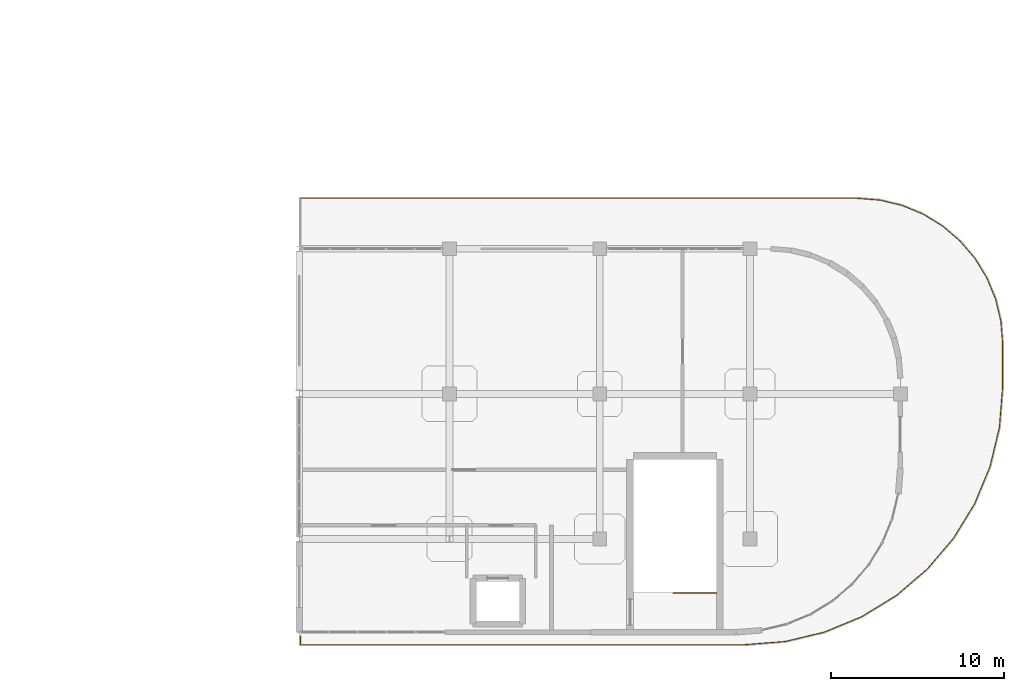
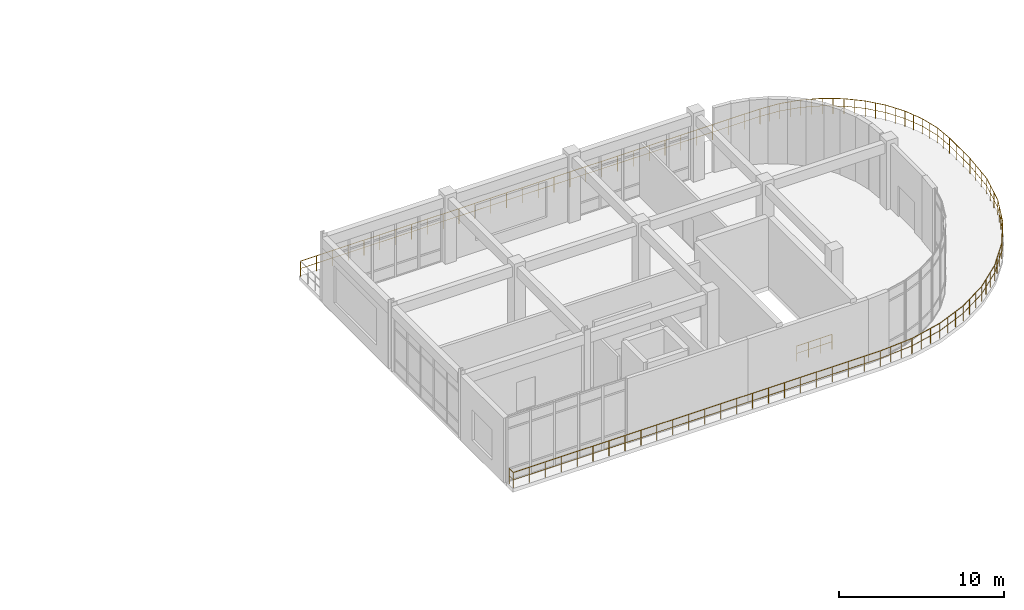
# One storey, part 96 of 96: 2 railings.
"""IFC4 building model written with IfcOpenShell, lengths in metres."""

from ifc_helpers import new_model, si_unit, derived_unit, direction, frame, origin, origin_2d, place, context, subcontext, project, spatial, circle, extrude, material, type_object, element, save


model = new_model("IFC4")

# Units and contexts
model_context = context("Model", 3, precision=1e-05, world=origin(), true_north=direction((0.0, 1.0)))
body_context = subcontext(model_context, "Body", "Model", "MODEL_VIEW")
ifc_project = project(units=[si_unit("LENGTHUNIT", "METRE"), si_unit("AREAUNIT", "SQUARE_METRE"), si_unit("VOLUMEUNIT", "CUBIC_METRE"), si_unit("PLANEANGLEUNIT", "RADIAN"), si_unit("MASSUNIT", "GRAM", prefix="KILO"), derived_unit("THERMALTRANSMITTANCEUNIT", [(si_unit("MASSUNIT", "GRAM", prefix="KILO"), 1), (si_unit("TIMEUNIT", "SECOND"), -3), (si_unit("THERMODYNAMICTEMPERATUREUNIT", "KELVIN"), -1)])], contexts=[model_context])

# Site, building, storey
site_placement = place(None, origin())
site = spatial("IfcSite", under=ifc_project, at=site_placement, CompositionType="ELEMENT")
building_placement = place(site_placement, origin())
building = spatial("IfcBuilding", under=site, at=building_placement, Name="Qinzheling Arcade Emporium", CompositionType="ELEMENT")
storey_placement = place(building_placement, frame((0.0, 0.0, 21.60009765625)))
storey = spatial("IfcBuildingStorey", under=building, at=storey_placement, Name="L05", CompositionType="ELEMENT", Elevation=21.60009765625)

# Railings
ifc_material_1 = material(Name="Architectural bronze rail and laminated safety glass", Category="glass")
railing_type_1 = type_object("IfcRailingType", Name="Curved Terrace Laminated Glass and Bronze Balustrade 1150", PredefinedType="BALUSTRADE", material=ifc_material_1)
railing_1_placement = place(storey_placement, frame((121.8798828125, 28.1201171875, 0.0)))
element("IfcRailing", 1, at=railing_1_placement, inside=storey, type_object=railing_type_1, Name="Terrace Balustrade RLG-TER-L05-010", PredefinedType="BALUSTRADE", context=body_context, shape_type="SweptSolid", body=[
    extrude(circle(Radius=0.02392578125, at=origin_2d()), frame((0.0, 0.0, 1.1259765625), z_axis=(1.0, 0.0, 0.0), x_axis=(0.0, 1.0, 0.0)), (0.0, 0.0, 1.0), 32.217041015625),
    extrude(circle(Radius=0.01611328125, at=origin_2d()), frame((0.0, 0.0, 0.574951171875), z_axis=(1.0, 0.0, 0.0), x_axis=(0.0, 1.0, 0.0)), (0.0, 0.0, 1.0), 32.217041015625),
    extrude(circle(Radius=0.02392578125, at=origin_2d()), frame((32.217041015625, 0.0, 1.1259765625), z_axis=(0.996910698263, -0.078543361838, 0.0), x_axis=(0.078543361838, 0.996910698263, 0.0)), (0.0, 0.0, 1.0), 1.32421875),
    extrude(circle(Radius=0.01611328125, at=origin_2d()), frame((32.217041015625, 0.0, 0.574951171875), z_axis=(0.996910698263, -0.078543361838, 0.0), x_axis=(0.078543361838, 0.996910698263, 0.0)), (0.0, 0.0, 1.0), 1.32421875),
    extrude(circle(Radius=0.02392578125, at=origin_2d()), frame((33.537109375, -0.10400390625, 1.1259765625), z_axis=(0.972434243008, -0.233177278107, 0.0), x_axis=(0.233177278107, 0.972434243008, 0.0)), (0.0, 0.0, 1.0), 1.3212890625),
    extrude(circle(Radius=0.01611328125, at=origin_2d()), frame((33.537109375, -0.10400390625, 0.574951171875), z_axis=(0.972434243008, -0.233177278107, 0.0), x_axis=(0.233177278107, 0.972434243008, 0.0)), (0.0, 0.0, 1.0), 1.3212890625),
    extrude(circle(Radius=0.02392578125, at=origin_2d()), frame((34.822021484375, -0.412109375, 1.1259765625), z_axis=(0.923807443919, -0.382857423279, 0.0), x_axis=(0.382857423279, 0.923807443919, 0.0)), (0.0, 0.0, 1.0), 1.322021484375),
    extrude(circle(Radius=0.01611328125, at=origin_2d()), frame((34.822021484375, -0.412109375, 0.574951171875), z_axis=(0.923807443919, -0.382857423279, 0.0), x_axis=(0.382857423279, 0.923807443919, 0.0)), (0.0, 0.0, 1.0), 1.322021484375),
    extrude(circle(Radius=0.02392578125, at=origin_2d()), frame((36.043212890625, -0.918212890625, 1.1259765625), z_axis=(0.852659703369, -0.522466678604, 0.0), x_axis=(0.522466678604, 0.852659703369, 0.0)), (0.0, 0.0, 1.0), 1.320556640625),
    extrude(circle(Radius=0.01611328125, at=origin_2d()), frame((36.043212890625, -0.918212890625, 0.574951171875), z_axis=(0.852659703369, -0.522466678604, 0.0), x_axis=(0.522466678604, 0.852659703369, 0.0)), (0.0, 0.0, 1.0), 1.320556640625),
    extrude(circle(Radius=0.02392578125, at=origin_2d()), frame((37.169189453125, -1.608154296875, 1.1259765625), z_axis=(0.759856303516, -0.65009106901, 0.0), x_axis=(0.65009106901, 0.759856303516, 0.0)), (0.0, 0.0, 1.0), 1.3212890625),
    extrude(circle(Radius=0.01611328125, at=origin_2d()), frame((37.169189453125, -1.608154296875, 0.574951171875), z_axis=(0.759856303516, -0.65009106901, 0.0), x_axis=(0.65009106901, 0.759856303516, 0.0)), (0.0, 0.0, 1.0), 1.3212890625),
    extrude(circle(Radius=0.02392578125, at=origin_2d()), frame((38.173095703125, -2.467041015625, 1.1259765625), z_axis=(0.650106477417, -0.759843120664, 0.0), x_axis=(0.759843120664, 0.650106477417, 0.0)), (0.0, 0.0, 1.0), 1.321533203125),
    extrude(circle(Radius=0.01611328125, at=origin_2d()), frame((38.173095703125, -2.467041015625, 0.574951171875), z_axis=(0.650106477417, -0.759843120664, 0.0), x_axis=(0.759843120664, 0.650106477417, 0.0)), (0.0, 0.0, 1.0), 1.321533203125),
    extrude(circle(Radius=0.02392578125, at=origin_2d()), frame((39.0322265625, -3.47119140625, 1.1259765625), z_axis=(0.522466678604, -0.852659703369, 0.0), x_axis=(0.852659703369, 0.522466678604, 0.0)), (0.0, 0.0, 1.0), 1.320556640625),
    extrude(circle(Radius=0.01611328125, at=origin_2d()), frame((39.0322265625, -3.47119140625, 0.574951171875), z_axis=(0.522466678604, -0.852659703369, 0.0), x_axis=(0.852659703369, 0.522466678604, 0.0)), (0.0, 0.0, 1.0), 1.320556640625),
    extrude(circle(Radius=0.02392578125, at=origin_2d()), frame((39.72216796875, -4.59716796875, 1.1259765625), z_axis=(0.382765104473, -0.923845698587, 0.0), x_axis=(0.923845698587, 0.382765104473, 0.0)), (0.0, 0.0, 1.0), 1.321533203125),
    extrude(circle(Radius=0.01611328125, at=origin_2d()), frame((39.72216796875, -4.59716796875, 0.574951171875), z_axis=(0.382765104473, -0.923845698587, 0.0), x_axis=(0.923845698587, 0.382765104473, 0.0)), (0.0, 0.0, 1.0), 1.321533203125),
    extrude(circle(Radius=0.02392578125, at=origin_2d()), frame((40.22802734375, -5.818115234375, 1.1259765625), z_axis=(0.233177278107, -0.972434243008, 0.0), x_axis=(0.972434243008, 0.233177278107, 0.0)), (0.0, 0.0, 1.0), 1.3212890625),
    extrude(circle(Radius=0.01611328125, at=origin_2d()), frame((40.22802734375, -5.818115234375, 0.574951171875), z_axis=(0.233177278107, -0.972434243008, 0.0), x_axis=(0.972434243008, 0.233177278107, 0.0)), (0.0, 0.0, 1.0), 1.3212890625),
    extrude(circle(Radius=0.02392578125, at=origin_2d()), frame((40.5361328125, -7.10302734375, 1.1259765625), z_axis=(0.078543361838, -0.996910698263, 0.0), x_axis=(0.996910698263, 0.078543361838, 0.0)), (0.0, 0.0, 1.0), 1.32421875),
    extrude(circle(Radius=0.01611328125, at=origin_2d()), frame((40.5361328125, -7.10302734375, 0.574951171875), z_axis=(0.078543361838, -0.996910698263, 0.0), x_axis=(0.996910698263, 0.078543361838, 0.0)), (0.0, 0.0, 1.0), 1.32421875),
    extrude(circle(Radius=0.02392578125, at=origin_2d()), frame((40.64013671875, -8.423095703125, 1.1259765625), z_axis=(0.0, -1.0, 0.0), x_axis=(1.0, 0.0, 0.0)), (0.0, 0.0, 1.0), 2.494140625),
    extrude(circle(Radius=0.01611328125, at=origin_2d()), frame((40.64013671875, -8.423095703125, 0.574951171875), z_axis=(0.0, -1.0, 0.0), x_axis=(1.0, 0.0, 0.0)), (0.0, 0.0, 1.0), 2.494140625),
    extrude(circle(Radius=0.02392578125, at=origin_2d()), frame((40.64013671875, -10.917236328125, 1.1259765625), z_axis=(-0.078528162279, -0.99691189567, 0.0), x_axis=(0.99691189567, -0.078528162279, 0.0)), (0.0, 0.0, 1.0), 2.34423828125),
    extrude(circle(Radius=0.01611328125, at=origin_2d()), frame((40.64013671875, -10.917236328125, 0.574951171875), z_axis=(-0.078528162279, -0.99691189567, 0.0), x_axis=(0.99691189567, -0.078528162279, 0.0)), (0.0, 0.0, 1.0), 2.34423828125),
    extrude(circle(Radius=0.02392578125, at=origin_2d()), frame((40.4560546875, -13.254150390625, 1.1259765625), z_axis=(-0.233246700261, -0.972417593844, 0.0), x_axis=(0.972417593844, -0.233246700261, 0.0)), (0.0, 0.0, 1.0), 2.34033203125),
    extrude(circle(Radius=0.01611328125, at=origin_2d()), frame((40.4560546875, -13.254150390625, 0.574951171875), z_axis=(-0.233246700261, -0.972417593844, 0.0), x_axis=(0.972417593844, -0.233246700261, 0.0)), (0.0, 0.0, 1.0), 2.34033203125),
    extrude(circle(Radius=0.02392578125, at=origin_2d()), frame((39.91015625, -15.530029296875, 1.1259765625), z_axis=(-0.382542052981, -0.923938081097, 0.0), x_axis=(0.923938081097, -0.382542052981, 0.0)), (0.0, 0.0, 1.0), 2.34228515625),
    extrude(circle(Radius=0.01611328125, at=origin_2d()), frame((39.91015625, -15.530029296875, 0.574951171875), z_axis=(-0.382542052981, -0.923938081097, 0.0), x_axis=(0.923938081097, -0.382542052981, 0.0)), (0.0, 0.0, 1.0), 2.34228515625),
    extrude(circle(Radius=0.02392578125, at=origin_2d()), frame((39.01416015625, -17.694091796875, 1.1259765625), z_axis=(-0.522782084315, -0.852466358468, 0.0), x_axis=(0.852466358468, -0.522782084315, 0.0)), (0.0, 0.0, 1.0), 2.341552734375),
    extrude(circle(Radius=0.01611328125, at=origin_2d()), frame((39.01416015625, -17.694091796875, 0.574951171875), z_axis=(-0.522782084315, -0.852466358468, 0.0), x_axis=(0.852466358468, -0.522782084315, 0.0)), (0.0, 0.0, 1.0), 2.341552734375),
    extrude(circle(Radius=0.02392578125, at=origin_2d()), frame((37.7900390625, -19.690185546875, 1.1259765625), z_axis=(-0.649381568621, -0.76046273961, 0.0), x_axis=(0.76046273961, -0.649381568621, 0.0)), (0.0, 0.0, 1.0), 2.3408203125),
    extrude(circle(Radius=0.01611328125, at=origin_2d()), frame((37.7900390625, -19.690185546875, 0.574951171875), z_axis=(-0.649381568621, -0.76046273961, 0.0), x_axis=(0.76046273961, -0.649381568621, 0.0)), (0.0, 0.0, 1.0), 2.3408203125),
    extrude(circle(Radius=0.02392578125, at=origin_2d()), frame((36.27001953125, -21.47021484375, 1.1259765625), z_axis=(-0.760418750778, -0.649433078511, 0.0), x_axis=(0.649433078511, -0.760418750778, 0.0)), (0.0, 0.0, 1.0), 2.340576171875),
    extrude(circle(Radius=0.01611328125, at=origin_2d()), frame((36.27001953125, -21.47021484375, 0.574951171875), z_axis=(-0.760418750778, -0.649433078511, 0.0), x_axis=(0.649433078511, -0.760418750778, 0.0)), (0.0, 0.0, 1.0), 2.340576171875),
    extrude(circle(Radius=0.02392578125, at=origin_2d()), frame((34.490234375, -22.990234375, 1.1259765625), z_axis=(-0.852512823528, -0.52270630924, 0.0), x_axis=(0.52270630924, -0.852512823528, 0.0)), (0.0, 0.0, 1.0), 2.34130859375),
    extrude(circle(Radius=0.01611328125, at=origin_2d()), frame((34.490234375, -22.990234375, 0.574951171875), z_axis=(-0.852512823528, -0.52270630924, 0.0), x_axis=(0.52270630924, -0.852512823528, 0.0)), (0.0, 0.0, 1.0), 2.34130859375),
    extrude(circle(Radius=0.02392578125, at=origin_2d()), frame((32.494140625, -24.214111328125, 1.1259765625), z_axis=(-0.923938081097, -0.382542052981, 0.0), x_axis=(0.382542052981, -0.923938081097, 0.0)), (0.0, 0.0, 1.0), 2.34228515625),
    extrude(circle(Radius=0.01611328125, at=origin_2d()), frame((32.494140625, -24.214111328125, 0.574951171875), z_axis=(-0.923938081097, -0.382542052981, 0.0), x_axis=(0.382542052981, -0.923938081097, 0.0)), (0.0, 0.0, 1.0), 2.34228515625),
    extrude(circle(Radius=0.02392578125, at=origin_2d()), frame((30.330078125, -25.110107421875, 1.1259765625), z_axis=(-0.972417593844, -0.233246700261, 0.0), x_axis=(0.233246700261, -0.972417593844, 0.0)), (0.0, 0.0, 1.0), 2.34033203125),
    extrude(circle(Radius=0.01611328125, at=origin_2d()), frame((30.330078125, -25.110107421875, 0.574951171875), z_axis=(-0.972417593844, -0.233246700261, 0.0), x_axis=(0.233246700261, -0.972417593844, 0.0)), (0.0, 0.0, 1.0), 2.34033203125),
    extrude(circle(Radius=0.02392578125, at=origin_2d()), frame((28.05419921875, -25.656005859375, 1.1259765625), z_axis=(-0.996912537822, -0.078520009769, 0.0), x_axis=(0.078520009769, -0.996912537822, 0.0)), (0.0, 0.0, 1.0), 2.344482421875),
    extrude(circle(Radius=0.01611328125, at=origin_2d()), frame((28.05419921875, -25.656005859375, 0.574951171875), z_axis=(-0.996912537822, -0.078520009769, 0.0), x_axis=(0.078520009769, -0.996912537822, 0.0)), (0.0, 0.0, 1.0), 2.344482421875),
    extrude(circle(Radius=0.02392578125, at=origin_2d()), frame((25.717041015625, -25.840087890625, 1.1259765625), z_axis=(-1.0, 0.0, 0.0), x_axis=(0.0, -1.0, 0.0)), (0.0, 0.0, 1.0), 25.717041015625),
    extrude(circle(Radius=0.01611328125, at=origin_2d()), frame((25.717041015625, -25.840087890625, 0.574951171875), z_axis=(-1.0, 0.0, 0.0), x_axis=(0.0, -1.0, 0.0)), (0.0, 0.0, 1.0), 25.717041015625),
    extrude(circle(Radius=0.02392578125, at=origin_2d()), frame((0.0, -25.840087890625, 1.1259765625), z_axis=(0.0, 1.0, 0.0), x_axis=(-1.0, 0.0, 0.0)), (0.0, 0.0, 1.0), 0.5),
    extrude(circle(Radius=0.01611328125, at=origin_2d()), frame((0.0, -25.840087890625, 0.574951171875), z_axis=(0.0, 1.0, 0.0), x_axis=(-1.0, 0.0, 0.0)), (0.0, 0.0, 1.0), 0.5),
    extrude(circle(Radius=0.02099609375, at=origin_2d()), origin(), (0.0, 0.0, 1.0), 1.101806640625),
    extrude(circle(Radius=0.02099609375, at=origin_2d()), frame((1.11083984375, 0.0, 0.0)), (0.0, 0.0, 1.0), 1.101806640625),
    extrude(circle(Radius=0.02099609375, at=origin_2d()), frame((2.221923828125, 0.0, 0.0)), (0.0, 0.0, 1.0), 1.101806640625),
    extrude(circle(Radius=0.02099609375, at=origin_2d()), frame((3.332763671875, 0.0, 0.0)), (0.0, 0.0, 1.0), 1.101806640625),
    extrude(circle(Radius=0.02099609375, at=origin_2d()), frame((4.44384765625, 0.0, 0.0)), (0.0, 0.0, 1.0), 1.101806640625),
    extrude(circle(Radius=0.02099609375, at=origin_2d()), frame((5.5546875, 0.0, 0.0)), (0.0, 0.0, 1.0), 1.101806640625),
    extrude(circle(Radius=0.02099609375, at=origin_2d()), frame((6.66552734375, 0.0, 0.0)), (0.0, 0.0, 1.0), 1.101806640625),
    extrude(circle(Radius=0.02099609375, at=origin_2d()), frame((7.776611328125, 0.0, 0.0)), (0.0, 0.0, 1.0), 1.101806640625),
    extrude(circle(Radius=0.02099609375, at=origin_2d()), frame((8.887451171875, 0.0, 0.0)), (0.0, 0.0, 1.0), 1.101806640625),
    extrude(circle(Radius=0.02099609375, at=origin_2d()), frame((9.998291015625, 0.0, 0.0)), (0.0, 0.0, 1.0), 1.101806640625),
    extrude(circle(Radius=0.02099609375, at=origin_2d()), frame((11.109375, 0.0, 0.0)), (0.0, 0.0, 1.0), 1.101806640625),
    extrude(circle(Radius=0.02099609375, at=origin_2d()), frame((12.22021484375, 0.0, 0.0)), (0.0, 0.0, 1.0), 1.101806640625),
    extrude(circle(Radius=0.02099609375, at=origin_2d()), frame((13.331298828125, 0.0, 0.0)), (0.0, 0.0, 1.0), 1.101806640625),
    extrude(circle(Radius=0.02099609375, at=origin_2d()), frame((14.442138671875, 0.0, 0.0)), (0.0, 0.0, 1.0), 1.101806640625),
    extrude(circle(Radius=0.02099609375, at=origin_2d()), frame((15.552978515625, 0.0, 0.0)), (0.0, 0.0, 1.0), 1.101806640625),
    extrude(circle(Radius=0.02099609375, at=origin_2d()), frame((16.6640625, 0.0, 0.0)), (0.0, 0.0, 1.0), 1.101806640625),
    extrude(circle(Radius=0.02099609375, at=origin_2d()), frame((17.77490234375, 0.0, 0.0)), (0.0, 0.0, 1.0), 1.101806640625),
    extrude(circle(Radius=0.02099609375, at=origin_2d()), frame((18.8857421875, 0.0, 0.0)), (0.0, 0.0, 1.0), 1.101806640625),
    extrude(circle(Radius=0.02099609375, at=origin_2d()), frame((19.996826171875, 0.0, 0.0)), (0.0, 0.0, 1.0), 1.101806640625),
    extrude(circle(Radius=0.02099609375, at=origin_2d()), frame((21.107666015625, 0.0, 0.0)), (0.0, 0.0, 1.0), 1.101806640625),
    extrude(circle(Radius=0.02099609375, at=origin_2d()), frame((22.21875, 0.0, 0.0)), (0.0, 0.0, 1.0), 1.101806640625),
    extrude(circle(Radius=0.02099609375, at=origin_2d()), frame((23.32958984375, 0.0, 0.0)), (0.0, 0.0, 1.0), 1.101806640625),
    extrude(circle(Radius=0.02099609375, at=origin_2d()), frame((24.4404296875, 0.0, 0.0)), (0.0, 0.0, 1.0), 1.101806640625),
    extrude(circle(Radius=0.02099609375, at=origin_2d()), frame((25.551513671875, 0.0, 0.0)), (0.0, 0.0, 1.0), 1.101806640625),
    extrude(circle(Radius=0.02099609375, at=origin_2d()), frame((26.662353515625, 0.0, 0.0)), (0.0, 0.0, 1.0), 1.101806640625),
    extrude(circle(Radius=0.02099609375, at=origin_2d()), frame((27.773193359375, 0.0, 0.0)), (0.0, 0.0, 1.0), 1.101806640625),
    extrude(circle(Radius=0.02099609375, at=origin_2d()), frame((28.88427734375, 0.0, 0.0)), (0.0, 0.0, 1.0), 1.101806640625),
    extrude(circle(Radius=0.02099609375, at=origin_2d()), frame((29.9951171875, 0.0, 0.0)), (0.0, 0.0, 1.0), 1.101806640625),
    extrude(circle(Radius=0.02099609375, at=origin_2d()), frame((31.106201171875, 0.0, 0.0)), (0.0, 0.0, 1.0), 1.101806640625),
    extrude(circle(Radius=0.02099609375, at=origin_2d()), frame((32.217041015625, 0.0, 0.0)), (0.0, 0.0, 1.0), 1.101806640625),
    extrude(circle(Radius=0.02099609375, at=origin_2d()), frame((32.876953125, -0.052001953125, 0.0)), (0.0, 0.0, 1.0), 1.101806640625),
    extrude(circle(Radius=0.02099609375, at=origin_2d()), frame((33.537109375, -0.10400390625, 0.0)), (0.0, 0.0, 1.0), 1.101806640625),
    extrude(circle(Radius=0.02099609375, at=origin_2d()), frame((34.1796875, -0.258056640625, 0.0)), (0.0, 0.0, 1.0), 1.101806640625),
    extrude(circle(Radius=0.02099609375, at=origin_2d()), frame((34.822021484375, -0.412109375, 0.0)), (0.0, 0.0, 1.0), 1.101806640625),
    extrude(circle(Radius=0.02099609375, at=origin_2d()), frame((35.4326171875, -0.6650390625, 0.0)), (0.0, 0.0, 1.0), 1.101806640625),
    extrude(circle(Radius=0.02099609375, at=origin_2d()), frame((36.043212890625, -0.918212890625, 0.0)), (0.0, 0.0, 1.0), 1.101806640625),
    extrude(circle(Radius=0.02099609375, at=origin_2d()), frame((36.606201171875, -1.26318359375, 0.0)), (0.0, 0.0, 1.0), 1.101806640625),
    extrude(circle(Radius=0.02099609375, at=origin_2d()), frame((37.169189453125, -1.608154296875, 0.0)), (0.0, 0.0, 1.0), 1.101806640625),
    extrude(circle(Radius=0.02099609375, at=origin_2d()), frame((37.671142578125, -2.03759765625, 0.0)), (0.0, 0.0, 1.0), 1.101806640625),
    extrude(circle(Radius=0.02099609375, at=origin_2d()), frame((38.173095703125, -2.467041015625, 0.0)), (0.0, 0.0, 1.0), 1.101806640625),
    extrude(circle(Radius=0.02099609375, at=origin_2d()), frame((38.6025390625, -2.96923828125, 0.0)), (0.0, 0.0, 1.0), 1.101806640625),
    extrude(circle(Radius=0.02099609375, at=origin_2d()), frame((39.0322265625, -3.47119140625, 0.0)), (0.0, 0.0, 1.0), 1.101806640625),
    extrude(circle(Radius=0.02099609375, at=origin_2d()), frame((39.377197265625, -4.0341796875, 0.0)), (0.0, 0.0, 1.0), 1.101806640625),
    extrude(circle(Radius=0.02099609375, at=origin_2d()), frame((39.72216796875, -4.59716796875, 0.0)), (0.0, 0.0, 1.0), 1.101806640625),
    extrude(circle(Radius=0.02099609375, at=origin_2d()), frame((39.97509765625, -5.20751953125, 0.0)), (0.0, 0.0, 1.0), 1.101806640625),
    extrude(circle(Radius=0.02099609375, at=origin_2d()), frame((40.22802734375, -5.818115234375, 0.0)), (0.0, 0.0, 1.0), 1.101806640625),
    extrude(circle(Radius=0.02099609375, at=origin_2d()), frame((40.382080078125, -6.46044921875, 0.0)), (0.0, 0.0, 1.0), 1.101806640625),
    extrude(circle(Radius=0.02099609375, at=origin_2d()), frame((40.5361328125, -7.10302734375, 0.0)), (0.0, 0.0, 1.0), 1.101806640625),
    extrude(circle(Radius=0.02099609375, at=origin_2d()), frame((40.588134765625, -7.76318359375, 0.0)), (0.0, 0.0, 1.0), 1.101806640625),
    extrude(circle(Radius=0.02099609375, at=origin_2d()), frame((40.64013671875, -8.423095703125, 0.0)), (0.0, 0.0, 1.0), 1.101806640625),
    extrude(circle(Radius=0.02099609375, at=origin_2d()), frame((40.64013671875, -9.25439453125, 0.0)), (0.0, 0.0, 1.0), 1.101806640625),
    extrude(circle(Radius=0.02099609375, at=origin_2d()), frame((40.64013671875, -10.0859375, 0.0)), (0.0, 0.0, 1.0), 1.101806640625),
    extrude(circle(Radius=0.02099609375, at=origin_2d()), frame((40.64013671875, -10.917236328125, 0.0)), (0.0, 0.0, 1.0), 1.101806640625),
    extrude(circle(Radius=0.02099609375, at=origin_2d()), frame((40.578857421875, -11.6962890625, 0.0)), (0.0, 0.0, 1.0), 1.101806640625),
    extrude(circle(Radius=0.02099609375, at=origin_2d()), frame((40.517333984375, -12.47509765625, 0.0)), (0.0, 0.0, 1.0), 1.101806640625),
    extrude(circle(Radius=0.02099609375, at=origin_2d()), frame((40.4560546875, -13.254150390625, 0.0)), (0.0, 0.0, 1.0), 1.101806640625),
    extrude(circle(Radius=0.02099609375, at=origin_2d()), frame((40.274169921875, -14.0126953125, 0.0)), (0.0, 0.0, 1.0), 1.101806640625),
    extrude(circle(Radius=0.02099609375, at=origin_2d()), frame((40.092041015625, -14.771484375, 0.0)), (0.0, 0.0, 1.0), 1.101806640625),
    extrude(circle(Radius=0.02099609375, at=origin_2d()), frame((39.91015625, -15.530029296875, 0.0)), (0.0, 0.0, 1.0), 1.101806640625),
    extrude(circle(Radius=0.02099609375, at=origin_2d()), frame((39.611572265625, -16.25146484375, 0.0)), (0.0, 0.0, 1.0), 1.101806640625),
    extrude(circle(Radius=0.02099609375, at=origin_2d()), frame((39.312744140625, -16.97265625, 0.0)), (0.0, 0.0, 1.0), 1.101806640625),
    extrude(circle(Radius=0.02099609375, at=origin_2d()), frame((39.01416015625, -17.694091796875, 0.0)), (0.0, 0.0, 1.0), 1.101806640625),
    extrude(circle(Radius=0.02099609375, at=origin_2d()), frame((38.606201171875, -18.359375, 0.0)), (0.0, 0.0, 1.0), 1.101806640625),
    extrude(circle(Radius=0.02099609375, at=origin_2d()), frame((38.197998046875, -19.02490234375, 0.0)), (0.0, 0.0, 1.0), 1.101806640625),
    extrude(circle(Radius=0.02099609375, at=origin_2d()), frame((37.7900390625, -19.690185546875, 0.0)), (0.0, 0.0, 1.0), 1.101806640625),
    extrude(circle(Radius=0.02099609375, at=origin_2d()), frame((37.283447265625, -20.283447265625, 0.0)), (0.0, 0.0, 1.0), 1.101806640625),
    extrude(circle(Radius=0.02099609375, at=origin_2d()), frame((36.776611328125, -20.876953125, 0.0)), (0.0, 0.0, 1.0), 1.101806640625),
    extrude(circle(Radius=0.02099609375, at=origin_2d()), frame((36.27001953125, -21.47021484375, 0.0)), (0.0, 0.0, 1.0), 1.101806640625),
    extrude(circle(Radius=0.02099609375, at=origin_2d()), frame((35.6767578125, -21.976806640625, 0.0)), (0.0, 0.0, 1.0), 1.101806640625),
    extrude(circle(Radius=0.02099609375, at=origin_2d()), frame((35.08349609375, -22.483642578125, 0.0)), (0.0, 0.0, 1.0), 1.101806640625),
    extrude(circle(Radius=0.02099609375, at=origin_2d()), frame((34.490234375, -22.990234375, 0.0)), (0.0, 0.0, 1.0), 1.101806640625),
    extrude(circle(Radius=0.02099609375, at=origin_2d()), frame((33.824951171875, -23.398193359375, 0.0)), (0.0, 0.0, 1.0), 1.101806640625),
    extrude(circle(Radius=0.02099609375, at=origin_2d()), frame((33.159423828125, -23.80615234375, 0.0)), (0.0, 0.0, 1.0), 1.101806640625),
    extrude(circle(Radius=0.02099609375, at=origin_2d()), frame((32.494140625, -24.214111328125, 0.0)), (0.0, 0.0, 1.0), 1.101806640625),
    extrude(circle(Radius=0.02099609375, at=origin_2d()), frame((31.772705078125, -24.5126953125, 0.0)), (0.0, 0.0, 1.0), 1.101806640625),
    extrude(circle(Radius=0.02099609375, at=origin_2d()), frame((31.051513671875, -24.8115234375, 0.0)), (0.0, 0.0, 1.0), 1.101806640625),
    extrude(circle(Radius=0.02099609375, at=origin_2d()), frame((30.330078125, -25.110107421875, 0.0)), (0.0, 0.0, 1.0), 1.101806640625),
    extrude(circle(Radius=0.02099609375, at=origin_2d()), frame((29.571533203125, -25.2919921875, 0.0)), (0.0, 0.0, 1.0), 1.101806640625),
    extrude(circle(Radius=0.02099609375, at=origin_2d()), frame((28.812744140625, -25.47412109375, 0.0)), (0.0, 0.0, 1.0), 1.101806640625),
    extrude(circle(Radius=0.02099609375, at=origin_2d()), frame((28.05419921875, -25.656005859375, 0.0)), (0.0, 0.0, 1.0), 1.101806640625),
    extrude(circle(Radius=0.02099609375, at=origin_2d()), frame((27.275146484375, -25.71728515625, 0.0)), (0.0, 0.0, 1.0), 1.101806640625),
    extrude(circle(Radius=0.02099609375, at=origin_2d()), frame((26.49609375, -25.77880859375, 0.0)), (0.0, 0.0, 1.0), 1.101806640625),
    extrude(circle(Radius=0.02099609375, at=origin_2d()), frame((25.717041015625, -25.840087890625, 0.0)), (0.0, 0.0, 1.0), 1.101806640625),
    extrude(circle(Radius=0.02099609375, at=origin_2d()), frame((24.598876953125, -25.840087890625, 0.0)), (0.0, 0.0, 1.0), 1.101806640625),
    extrude(circle(Radius=0.02099609375, at=origin_2d()), frame((23.480712890625, -25.840087890625, 0.0)), (0.0, 0.0, 1.0), 1.101806640625),
    extrude(circle(Radius=0.02099609375, at=origin_2d()), frame((22.362548828125, -25.840087890625, 0.0)), (0.0, 0.0, 1.0), 1.101806640625),
    extrude(circle(Radius=0.02099609375, at=origin_2d()), frame((21.24462890625, -25.840087890625, 0.0)), (0.0, 0.0, 1.0), 1.101806640625),
    extrude(circle(Radius=0.02099609375, at=origin_2d()), frame((20.12646484375, -25.840087890625, 0.0)), (0.0, 0.0, 1.0), 1.101806640625),
    extrude(circle(Radius=0.02099609375, at=origin_2d()), frame((19.00830078125, -25.840087890625, 0.0)), (0.0, 0.0, 1.0), 1.101806640625),
    extrude(circle(Radius=0.02099609375, at=origin_2d()), frame((17.89013671875, -25.840087890625, 0.0)), (0.0, 0.0, 1.0), 1.101806640625),
    extrude(circle(Radius=0.02099609375, at=origin_2d()), frame((16.77197265625, -25.840087890625, 0.0)), (0.0, 0.0, 1.0), 1.101806640625),
    extrude(circle(Radius=0.02099609375, at=origin_2d()), frame((15.65380859375, -25.840087890625, 0.0)), (0.0, 0.0, 1.0), 1.101806640625),
    extrude(circle(Radius=0.02099609375, at=origin_2d()), frame((14.53564453125, -25.840087890625, 0.0)), (0.0, 0.0, 1.0), 1.101806640625),
    extrude(circle(Radius=0.02099609375, at=origin_2d()), frame((13.41748046875, -25.840087890625, 0.0)), (0.0, 0.0, 1.0), 1.101806640625),
    extrude(circle(Radius=0.02099609375, at=origin_2d()), frame((12.299560546875, -25.840087890625, 0.0)), (0.0, 0.0, 1.0), 1.101806640625),
    extrude(circle(Radius=0.02099609375, at=origin_2d()), frame((11.181396484375, -25.840087890625, 0.0)), (0.0, 0.0, 1.0), 1.101806640625),
    extrude(circle(Radius=0.02099609375, at=origin_2d()), frame((10.063232421875, -25.840087890625, 0.0)), (0.0, 0.0, 1.0), 1.101806640625),
    extrude(circle(Radius=0.02099609375, at=origin_2d()), frame((8.945068359375, -25.840087890625, 0.0)), (0.0, 0.0, 1.0), 1.101806640625),
    extrude(circle(Radius=0.02099609375, at=origin_2d()), frame((7.826904296875, -25.840087890625, 0.0)), (0.0, 0.0, 1.0), 1.101806640625),
    extrude(circle(Radius=0.02099609375, at=origin_2d()), frame((6.708740234375, -25.840087890625, 0.0)), (0.0, 0.0, 1.0), 1.101806640625),
    extrude(circle(Radius=0.02099609375, at=origin_2d()), frame((5.590576171875, -25.840087890625, 0.0)), (0.0, 0.0, 1.0), 1.101806640625),
    extrude(circle(Radius=0.02099609375, at=origin_2d()), frame((4.472412109375, -25.840087890625, 0.0)), (0.0, 0.0, 1.0), 1.101806640625),
    extrude(circle(Radius=0.02099609375, at=origin_2d()), frame((3.3544921875, -25.840087890625, 0.0)), (0.0, 0.0, 1.0), 1.101806640625),
    extrude(circle(Radius=0.02099609375, at=origin_2d()), frame((2.236328125, -25.840087890625, 0.0)), (0.0, 0.0, 1.0), 1.101806640625),
    extrude(circle(Radius=0.02099609375, at=origin_2d()), frame((1.1181640625, -25.840087890625, 0.0)), (0.0, 0.0, 1.0), 1.101806640625),
    extrude(circle(Radius=0.02099609375, at=origin_2d()), frame((0.0, -25.840087890625, 0.0)), (0.0, 0.0, 1.0), 1.101806640625),
    extrude(circle(Radius=0.02099609375, at=origin_2d()), frame((0.0, -25.340087890625, 0.0)), (0.0, 0.0, 1.0), 1.101806640625),
])
ifc_material_2 = material(Name="Galvanised powder-coated tubular steel", Category="steel")
railing_type_2 = type_object("IfcRailingType", Name="Painted Steel Stairwell Guard Railing 1150", PredefinedType="GUARDRAIL", material=ifc_material_2)
railing_2_placement = place(storey_placement, frame((145.945068359375, 5.27001953125, 0.0)))
element("IfcRailing", 2, at=railing_2_placement, inside=storey, type_object=railing_type_2, Name="L05 ST06 top well guard 1", PredefinedType="GUARDRAIL", context=body_context, shape_type="SweptSolid", body=[
    extrude(circle(Radius=0.02392578125, at=origin_2d()), frame((0.0, 0.0, 1.1259765625), z_axis=(-1.0, 0.0, 0.0), x_axis=(0.0, -1.0, 0.0)), (0.0, 0.0, 1.0), 2.469970703125),
    extrude(circle(Radius=0.01611328125, at=origin_2d()), frame((0.0, 0.0, 0.574951171875), z_axis=(-1.0, 0.0, 0.0), x_axis=(0.0, -1.0, 0.0)), (0.0, 0.0, 1.0), 2.469970703125),
    extrude(circle(Radius=0.02099609375, at=origin_2d()), origin(), (0.0, 0.0, 1.0), 1.101806640625),
    extrude(circle(Radius=0.02099609375, at=origin_2d()), frame((-0.8232421875, 0.0, 0.0)), (0.0, 0.0, 1.0), 1.101806640625),
    extrude(circle(Radius=0.02099609375, at=origin_2d()), frame((-1.646728515625, 0.0, 0.0)), (0.0, 0.0, 1.0), 1.101806640625),
    extrude(circle(Radius=0.02099609375, at=origin_2d()), frame((-2.469970703125, 0.0, 0.0)), (0.0, 0.0, 1.0), 1.101806640625),
])

save(model, "model.ifc")
